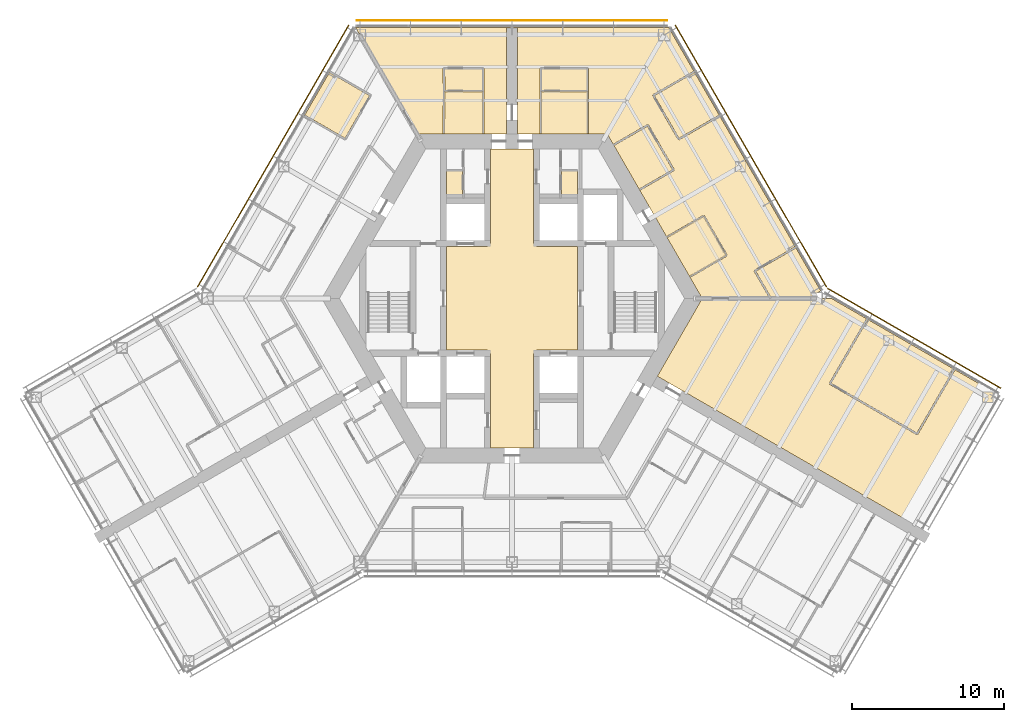
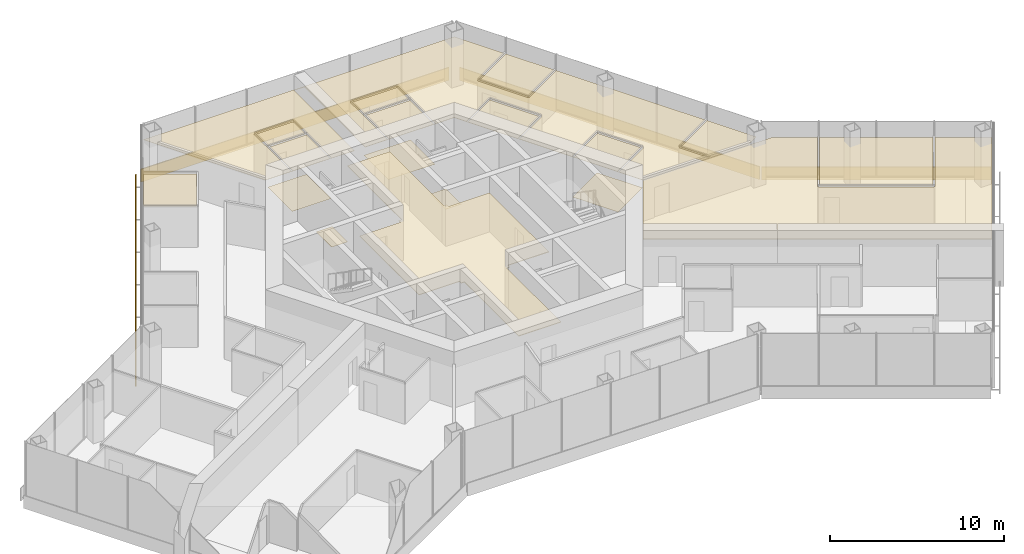
# One storey, part 19 of 19: 19 coverings, 4 shading devices.
"""IFC4 building model written with IfcOpenShell, lengths in metres."""

from ifc_helpers import new_model, si_unit, direction, frame, origin, origin_2d, place, context, subcontext, project, spatial, polyline, rectangle, outline, extrude, material, layer, layer_set, type_object, element, save


model = new_model("IFC4")

# Units and contexts
model_context = context("Model", 3, precision=1e-05, world=origin(), true_north=direction((0.0, 1.0)))
body_context = subcontext(model_context, "Body", "Model", "MODEL_VIEW")
ifc_project = project(units=[si_unit("LENGTHUNIT", "METRE"), si_unit("AREAUNIT", "SQUARE_METRE"), si_unit("VOLUMEUNIT", "CUBIC_METRE"), si_unit("PLANEANGLEUNIT", "RADIAN"), si_unit("MASSUNIT", "GRAM", prefix="KILO")], contexts=[model_context])

# Site, building, storey
site_placement = place(None, origin())
site = spatial("IfcSite", under=ifc_project, at=site_placement, CompositionType="ELEMENT")
building_placement = place(site_placement, origin())
building = spatial("IfcBuilding", under=site, at=building_placement, Name="Kasaneha Research Tower", CompositionType="ELEMENT")
storey_placement = place(building_placement, frame((0.0, 0.0, 160.39990234375)))
storey = spatial("IfcBuildingStorey", under=building, at=storey_placement, Name="L40", CompositionType="ELEMENT", Elevation=160.39990234375)

# Coverings
ifc_material_1 = material(Name="Aluminium panel ceiling", Category="aluminium")
ifc_layer_1 = layer(ifc_material_1, 0.0400390625)
ifc_layer_set_1 = layer_set([ifc_layer_1], Name="Lift lobby ceiling 40")
covering_type_1 = type_object("IfcCoveringType", Name="Lift lobby ceiling 40", PredefinedType="CEILING", material=ifc_layer_set_1)
covering_1_placement = place(storey_placement, frame((0.0, 0.0, 2.7001953125)))
element("IfcCovering", 1, at=covering_1_placement, inside=storey, type_object=covering_type_1, Name="Ceiling L40-01", PredefinedType="CEILING", context=body_context, shape_type="SweptSolid", body=[
    extrude(outline(polyline([(1.39990234375, 9.824951171875), (1.39990234375, 3.60009765625), (1.60009765625, 3.60009765625), (1.60009765625, 3.39990234375), (4.300048828125, 3.39990234375), (4.300048828125, -3.39990234375), (1.60009765625, -3.39990234375), (1.60009765625, -3.60009765625), (1.39990234375, -3.60009765625), (1.39990234375, -9.824951171875), (-1.39990234375, -9.824951171875), (-1.39990234375, -3.60009765625), (-1.60009765625, -3.60009765625), (-1.60009765625, -3.39990234375), (-4.300048828125, -3.39990234375), (-4.300048828125, 3.39990234375), (-1.60009765625, 3.39990234375), (-1.60009765625, 3.60009765625), (-1.39990234375, 3.60009765625), (-1.39990234375, 9.824951171875), (1.39990234375, 9.824951171875)])), origin(), (0.0, 0.0, 1.0), 0.039794921875),
])
ifc_material_2 = material(Name="Gypsum ceiling board", Category="gypsum")
ifc_layer_2 = layer(ifc_material_2, 0.02001953125)
ifc_layer_set_2 = layer_set([ifc_layer_2], Name="Suspended ceiling 20")
covering_type_2 = type_object("IfcCoveringType", Name="Suspended ceiling 20", PredefinedType="CEILING", material=ifc_layer_set_2)
covering_2_placement = place(storey_placement, frame((0.0, 0.0, 2.800048828125)))
element("IfcCovering", 2, at=covering_2_placement, inside=storey, type_object=covering_type_2, Name="Ceiling L40-26", PredefinedType="CEILING", context=body_context, shape_type="SweptSolid", body=[
    extrude(outline(polyline([(1.89990234375, 10.824951171875), (1.89990234375, 10.844970703125), (1.949951171875, 10.844970703125), (1.95458984375, 13.570068359375), (4.91650390625, 13.570068359375), (4.9208984375, 10.844970703125), (4.970947265625, 10.844970703125), (4.970947265625, 10.824951171875), (1.89990234375, 10.824951171875)])), origin(), (0.0, 0.0, 1.0), 0.02001953125),
])
covering_3_placement = place(storey_placement, frame((0.0, 0.0, 2.800048828125)))
element("IfcCovering", 3, at=covering_3_placement, inside=storey, type_object=covering_type_2, Name="Ceiling L40-27", PredefinedType="CEILING", context=body_context, shape_type="SweptSolid", body=[
    extrude(outline(polyline([(4.91650390625, 13.669921875), (1.954345703125, 13.669921875), (1.9501953125, 15.074951171875), (4.9208984375, 15.074951171875), (4.91650390625, 13.669921875)])), origin(), (0.0, 0.0, 1.0), 0.02001953125),
])
covering_4_placement = place(storey_placement, frame((0.0, 0.0, 2.800048828125)))
element("IfcCovering", 4, at=covering_4_placement, inside=storey, type_object=covering_type_2, Name="Ceiling L40-28", PredefinedType="CEILING", context=body_context, shape_type="SweptSolid", body=[
    extrude(outline(polyline([(10.1748046875, 4.02685546875), (10.192138671875, 4.036865234375), (10.217041015625, 3.99365234375), (12.581298828125, 5.358642578125), (14.03125, 2.84716796875), (11.6669921875, 1.482177734375), (11.692138671875, 1.438720703125), (11.6748046875, 1.4287109375), (10.1748046875, 4.02685546875)])), origin(), (0.0, 0.0, 1.0), 0.02001953125),
])
covering_5_placement = place(storey_placement, frame((0.0, 0.0, 2.800048828125)))
element("IfcCovering", 5, at=covering_5_placement, inside=storey, type_object=covering_type_2, Name="Ceiling L40-29", PredefinedType="CEILING", context=body_context, shape_type="SweptSolid", body=[
    extrude(outline(polyline([(13.640869140625, 12.0146484375), (13.623291015625, 12.004638671875), (13.598388671875, 12.0478515625), (10.974365234375, 10.53271484375), (9.35888671875, 13.330810546875), (12.000244140625, 14.85595703125), (13.640869140625, 12.0146484375)])), origin(), (0.0, 0.0, 1.0), 0.02001953125),
])
covering_6_placement = place(storey_placement, frame((0.0, 0.0, 2.800048828125)))
element("IfcCovering", 6, at=covering_6_placement, inside=storey, type_object=covering_type_2, Name="Ceiling L40-30", PredefinedType="CEILING", context=body_context, shape_type="SweptSolid", body=[
    extrude(outline(polyline([(6.6748046875, 10.089111328125), (6.69189453125, 10.09912109375), (6.717041015625, 10.0556640625), (8.908203125, 11.32080078125), (10.55810546875, 8.462890625), (8.366943359375, 7.197998046875), (8.39208984375, 7.154541015625), (8.374755859375, 7.14453125), (6.6748046875, 10.089111328125)])), origin(), (0.0, 0.0, 1.0), 0.02001953125),
])
covering_7_placement = place(storey_placement, frame((0.0, 0.0, 2.800048828125)))
element("IfcCovering", 7, at=covering_7_placement, inside=storey, type_object=covering_type_2, Name="Ceiling L40-31", PredefinedType="CEILING", context=body_context, shape_type="SweptSolid", body=[
    extrude(outline(polyline([(19.41845703125, 0.0), (16.997802734375, 0.0), (16.986328125, 0.02001953125), (17.029541015625, 0.044921875), (16.020751953125, 1.792236328125), (18.644775390625, 3.30712890625), (18.619873046875, 3.3505859375), (18.63720703125, 3.360595703125), (20.28759765625, 0.501708984375), (19.41845703125, 0.0)])), origin(), (0.0, 0.0, 1.0), 0.02001953125),
])
covering_8_placement = place(storey_placement, frame((0.0, 0.0, 2.800048828125)))
element("IfcCovering", 8, at=covering_8_placement, inside=storey, type_object=covering_type_2, Name="Ceiling L40-32", PredefinedType="CEILING", context=body_context, shape_type="SweptSolid", body=[
    extrude(outline(polyline([(11.6923828125, 1.438232421875), (11.717041015625, 1.3955078125), (14.12451171875, 2.785400390625), (14.099609375, 2.828857421875), (14.10009765625, 2.8291015625), (14.10009765625, 2.8291015625), (14.142822265625, 2.853759765625), (12.642822265625, 5.451904296875), (12.599853515625, 5.427001953125), (12.599609375, 5.42724609375), (12.599365234375, 5.42724609375), (12.57470703125, 5.47021484375), (10.1669921875, 4.080078125), (10.19189453125, 4.037353515625), (10.174560546875, 4.02734375), (8.375, 7.14404296875), (8.392333984375, 7.154052734375), (8.4169921875, 7.111328125), (10.6513671875, 8.4013671875), (10.62646484375, 8.4443359375), (10.626953125, 8.444580078125), (10.626708984375, 8.44482421875), (10.669677734375, 8.469482421875), (8.9697265625, 11.4140625), (8.9267578125, 11.38916015625), (8.9267578125, 11.389404296875), (8.92626953125, 11.38916015625), (8.9013671875, 11.432373046875), (6.6669921875, 10.142333984375), (6.691650390625, 10.099365234375), (6.674560546875, 10.08935546875), (6.249755859375, 10.824951171875), (4.971435546875, 10.824951171875), (4.971435546875, 10.844970703125), (5.02099609375, 10.844970703125), (5.016357421875, 13.625), (5.02099609375, 15.124755859375), (4.971435546875, 15.125), (4.971435546875, 15.12548828125), (4.970947265625, 15.12548828125), (4.970947265625, 15.175048828125), (1.89990234375, 15.175048828125), (1.89990234375, 15.125244140625), (1.899658203125, 15.125244140625), (1.899658203125, 15.125), (1.85009765625, 15.124755859375), (1.8544921875, 13.625), (1.85009765625, 10.844970703125), (1.8994140625, 10.844970703125), (1.8994140625, 10.824951171875), (0.35009765625, 10.824951171875), (0.35009765625, 11.72509765625), (0.35009765625, 12.72509765625), (0.35009765625, 17.7705078125), (0.35009765625, 17.7705078125), (0.0, 17.7705078125), (0.0, 17.820556640625), (10.28857421875, 17.820556640625), (11.9501953125, 14.9423828125), (9.265625, 13.392578125), (9.29052734375, 13.349609375), (9.2900390625, 13.349365234375), (9.290283203125, 13.34912109375), (9.247314453125, 13.32421875), (10.912841796875, 10.439453125), (10.9560546875, 10.464599609375), (10.981201171875, 10.421142578125), (13.6484375, 11.961181640625), (13.62353515625, 12.004150390625), (13.64111328125, 12.01416015625), (18.636962890625, 3.36083984375), (18.61962890625, 3.350830078125), (18.5947265625, 3.393798828125), (15.927490234375, 1.853759765625), (15.952392578125, 1.810791015625), (15.9521484375, 1.810791015625), (15.9521484375, 1.810302734375), (15.9091796875, 1.785400390625), (16.93994140625, 0.0), (12.49951171875, 0.0), (11.675048828125, 1.428466796875), (11.6923828125, 1.438232421875)])), origin(), (0.0, 0.0, 1.0), 0.02001953125),
])
covering_9_placement = place(storey_placement, frame((0.0, 0.0, 2.800048828125)))
element("IfcCovering", 9, at=covering_9_placement, inside=storey, type_object=covering_type_2, Name="Ceiling L40-33", PredefinedType="CEILING", context=body_context, shape_type="SweptSolid", body=[
    extrude(outline(polyline([(-4.470947265625, 10.824951171875), (-4.470947265625, 10.844970703125), (-4.4208984375, 10.844970703125), (-4.41650390625, 13.570068359375), (-1.95458984375, 13.570068359375), (-1.949951171875, 10.844970703125), (-1.89990234375, 10.844970703125), (-1.89990234375, 10.824951171875), (-4.470947265625, 10.824951171875)])), origin(), (0.0, 0.0, 1.0), 0.02001953125),
])
covering_10_placement = place(storey_placement, frame((0.0, 0.0, 2.800048828125)))
element("IfcCovering", 10, at=covering_10_placement, inside=storey, type_object=covering_type_2, Name="Ceiling L40-34", PredefinedType="CEILING", context=body_context, shape_type="SweptSolid", body=[
    extrude(outline(polyline([(-1.9501953125, 15.074951171875), (-1.95458984375, 13.669921875), (-4.41650390625, 13.669921875), (-4.4208984375, 15.074951171875), (-1.9501953125, 15.074951171875)])), origin(), (0.0, 0.0, 1.0), 0.02001953125),
])
covering_11_placement = place(storey_placement, frame((0.0, 0.0, 2.800048828125)))
element("IfcCovering", 11, at=covering_11_placement, inside=storey, type_object=covering_type_2, Name="Ceiling L40-35", PredefinedType="CEILING", context=body_context, shape_type="SweptSolid", body=[
    extrude(outline(polyline([(-0.35009765625, 11.72509765625), (-0.35009765625, 10.824951171875), (-1.8994140625, 10.824951171875), (-1.8994140625, 10.844970703125), (-1.85009765625, 10.844970703125), (-1.854736328125, 13.625), (-1.85009765625, 15.124755859375), (-1.89990234375, 15.125), (-1.89990234375, 15.12548828125), (-1.89990234375, 15.175048828125), (-4.470947265625, 15.175048828125), (-4.470947265625, 15.125244140625), (-4.471435546875, 15.125244140625), (-4.471435546875, 15.125), (-4.52099609375, 15.124755859375), (-4.516357421875, 13.625), (-4.52099609375, 10.844970703125), (-4.471435546875, 10.844970703125), (-4.471435546875, 10.824951171875), (-6.249755859375, 10.824951171875), (-10.28857421875, 17.820556640625), (0.0, 17.820556640625), (0.0, 17.7705078125), (-0.35009765625, 17.7705078125), (-0.35009765625, 17.7705078125), (-0.35009765625, 12.72509765625), (-0.35009765625, 11.72509765625)])), origin(), (0.0, 0.0, 1.0), 0.02001953125),
])
covering_12_placement = place(storey_placement, frame((0.0, 0.0, 2.800048828125)))
element("IfcCovering", 12, at=covering_12_placement, inside=storey, type_object=covering_type_2, Name="Ceiling L40-41", PredefinedType="CEILING", context=body_context, shape_type="SweptSolid", body=[
    extrude(outline(polyline([(-12.000244140625, 14.85595703125), (-9.35888671875, 13.330810546875), (-10.974365234375, 10.53271484375), (-13.598388671875, 12.0478515625), (-13.623291015625, 12.004638671875), (-13.640869140625, 12.0146484375), (-12.000244140625, 14.85595703125)])), origin(), (0.0, 0.0, 1.0), 0.02001953125),
])
covering_13_placement = place(storey_placement, frame((0.0, 0.0, 2.800048828125)))
element("IfcCovering", 13, at=covering_13_placement, inside=storey, type_object=covering_type_2, Name="Ceiling L40-49", PredefinedType="CEILING", context=body_context, shape_type="SweptSolid", body=[
    extrude(outline(polyline([(29.03173828125, -4.636962890625), (26.606689453125, -8.83740234375), (20.96044921875, -5.577392578125), (23.37548828125, -1.39453125), (23.332275390625, -1.36962890625), (23.34228515625, -1.352294921875), (29.03173828125, -4.636962890625)])), origin(), (0.0, 0.0, 1.0), 0.02001953125),
])
covering_14_placement = place(storey_placement, frame((0.0, 0.0, 2.800048828125)))
element("IfcCovering", 14, at=covering_14_placement, inside=storey, type_object=covering_type_2, Name="Ceiling L40-50", PredefinedType="CEILING", context=body_context, shape_type="SweptSolid", body=[
    extrude(outline(polyline([(9.5498046875, -5.109375), (12.49951171875, 0.0), (16.93994140625, 0.0), (16.94287109375, -0.0048828125), (16.95166015625, 0.0), (21.0, 0.0), (23.341796875, -1.35205078125), (23.331787109375, -1.369384765625), (23.288818359375, -1.344482421875), (20.848876953125, -5.57080078125), (20.89208984375, -5.595703125), (20.8671875, -5.63916015625), (26.60009765625, -8.948974609375), (26.624755859375, -8.906005859375), (26.625, -8.906005859375), (26.625244140625, -8.90576171875), (26.668212890625, -8.9306640625), (29.1181640625, -4.68701171875), (31.94140625, -6.31689453125), (26.866455078125, -15.107177734375), (14.286376953125, -7.843994140625), (10.3291015625, -5.559326171875), (10.3291015625, -5.559326171875), (9.5498046875, -5.109375)])), origin(), (0.0, 0.0, 1.0), 0.02001953125),
])

# Shading devices
ifc_material_3 = material(Name="Terracotta", Category="masonry")
ifc_layer_3 = layer(ifc_material_3, 0.06005859375)
ifc_layer_set_3 = layer_set([ifc_layer_3], Name="Terracotta baguette screen")
shading_device_type = type_object("IfcShadingDeviceType", Name="Terracotta baguette screen", PredefinedType="USERDEFINED", material=ifc_layer_set_3)
shading_device_1_placement = place(storey_placement, frame((26.43359375, -2.617431640625, -0.449951171875), z_axis=(0.0, 0.0, 1.0), x_axis=(-0.866025411464, 0.499999986699, 0.0)))
element("IfcShadingDevice", 15, at=shading_device_1_placement, inside=storey, type_object=shading_device_type, Name="Baguette screen L40 05", ObjectType="TERRACOTTA BAGUETTE SCREEN", PredefinedType="USERDEFINED", context=body_context, shape_type="SweptSolid", body=[
    extrude(rectangle(XDim=13.13916015625, YDim=0.06005859375, at=origin_2d()), origin(), (0.0, 0.0, 1.0), 0.89990234375),
])
shading_device_2_placement = place(storey_placement, frame((15.696044921875, 9.35498046875, -0.449951171875), z_axis=(0.0, 0.0, 1.0), x_axis=(-0.499999979232, 0.866025415775, 0.0)))
element("IfcShadingDevice", 16, at=shading_device_2_placement, inside=storey, type_object=shading_device_type, Name="Baguette screen L40 06", ObjectType="TERRACOTTA BAGUETTE SCREEN", PredefinedType="USERDEFINED", context=body_context, shape_type="SweptSolid", body=[
    extrude(rectangle(XDim=19.8857421875, YDim=0.06005859375, at=origin_2d()), origin(), (0.0, 0.0, 1.0), 0.89990234375),
])
shading_device_3_placement = place(storey_placement, frame((0.0, 18.2705078125, -0.449951171875), z_axis=(0.0, 0.0, 1.0), x_axis=(-1.0, 0.0, 0.0)))
element("IfcShadingDevice", 17, at=shading_device_3_placement, inside=storey, type_object=shading_device_type, Name="Baguette screen L40 07", ObjectType="TERRACOTTA BAGUETTE SCREEN", PredefinedType="USERDEFINED", context=body_context, shape_type="SweptSolid", body=[
    extrude(rectangle(XDim=20.392822265625, YDim=0.06005859375, at=origin_2d()), origin(), (0.0, 0.0, 1.0), 0.89990234375),
])
shading_device_4_placement = place(storey_placement, frame((-15.696044921875, 9.35498046875, -0.449951171875), z_axis=(0.0, 0.0, 1.0), x_axis=(-0.499999979232, -0.866025415775, 0.0)))
element("IfcShadingDevice", 18, at=shading_device_4_placement, inside=storey, type_object=shading_device_type, Name="Baguette screen L40 08", ObjectType="TERRACOTTA BAGUETTE SCREEN", PredefinedType="USERDEFINED", context=body_context, shape_type="SweptSolid", body=[
    extrude(rectangle(XDim=19.8857421875, YDim=0.06005859375, at=origin_2d()), origin(), (0.0, 0.0, 1.0), 0.89990234375),
])

# Coverings
ifc_material_4 = material(Name="Vinyl sheet flooring", Category="plastic")
ifc_layer_4 = layer(ifc_material_4, 0.0048828125)
ifc_layer_set_4 = layer_set([ifc_layer_4], Name="Wet room sheet flooring 5")
covering_type_3 = type_object("IfcCoveringType", Name="Wet room sheet flooring 5", PredefinedType="FLOORING", material=ifc_layer_set_4)
covering_15_placement = place(storey_placement, origin())
element("IfcCovering", 19, at=covering_15_placement, inside=storey, type_object=covering_type_3, Name="Floor finish L40-07", PredefinedType="FLOORING", context=body_context, shape_type="SweptSolid", body=[
    extrude(outline(polyline([(-4.300048828125, 6.60009765625), (-4.300048828125, 8.375), (-3.25, 8.375), (-3.25, 6.60009765625), (-4.300048828125, 6.60009765625)])), origin(), (0.0, 0.0, 1.0), 0.005126953125),
])
covering_16_placement = place(storey_placement, origin())
element("IfcCovering", 20, at=covering_16_placement, inside=storey, type_object=covering_type_3, Name="Floor finish L40-10", PredefinedType="FLOORING", context=body_context, shape_type="SweptSolid", body=[
    extrude(outline(polyline([(3.25, 6.60009765625), (3.25, 8.375), (4.300048828125, 8.375), (4.300048828125, 7.0), (4.300048828125, 6.60009765625), (3.25, 6.60009765625)])), origin(), (0.0, 0.0, 1.0), 0.005126953125),
])
covering_17_placement = place(storey_placement, origin())
element("IfcCovering", 21, at=covering_17_placement, inside=storey, type_object=covering_type_3, Name="Floor finish L40-26", PredefinedType="FLOORING", context=body_context, shape_type="SweptSolid", body=[
    extrude(outline(polyline([(4.970947265625, 13.625), (4.970947265625, 10.824951171875), (1.89990234375, 10.824951171875), (1.89990234375, 13.625), (4.970947265625, 13.625)])), origin(), (0.0, 0.0, 1.0), 0.005126953125),
])
covering_18_placement = place(storey_placement, origin())
element("IfcCovering", 22, at=covering_18_placement, inside=storey, type_object=covering_type_3, Name="Floor finish L40-28", PredefinedType="FLOORING", context=body_context, shape_type="SweptSolid", body=[
    extrude(outline(polyline([(14.099609375, 2.828857421875), (11.6748046875, 1.4287109375), (10.1748046875, 4.02685546875), (12.599609375, 5.4267578125), (14.099609375, 2.828857421875)])), origin(), (0.0, 0.0, 1.0), 0.005126953125),
])
covering_19_placement = place(storey_placement, origin())
element("IfcCovering", 23, at=covering_19_placement, inside=storey, type_object=covering_type_3, Name="Floor finish L40-33", PredefinedType="FLOORING", context=body_context, shape_type="SweptSolid", body=[
    extrude(outline(polyline([(-1.89990234375, 13.625), (-1.89990234375, 10.824951171875), (-4.470947265625, 10.824951171875), (-4.470947265625, 13.625), (-1.89990234375, 13.625)])), origin(), (0.0, 0.0, 1.0), 0.005126953125),
])

save(model, "model.ifc")
